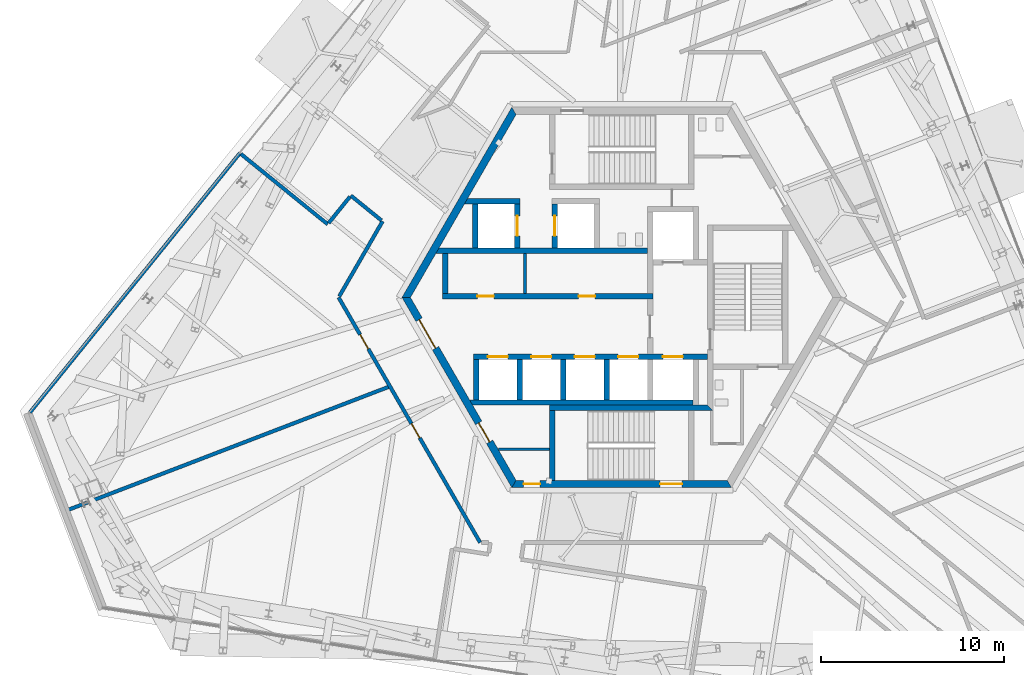
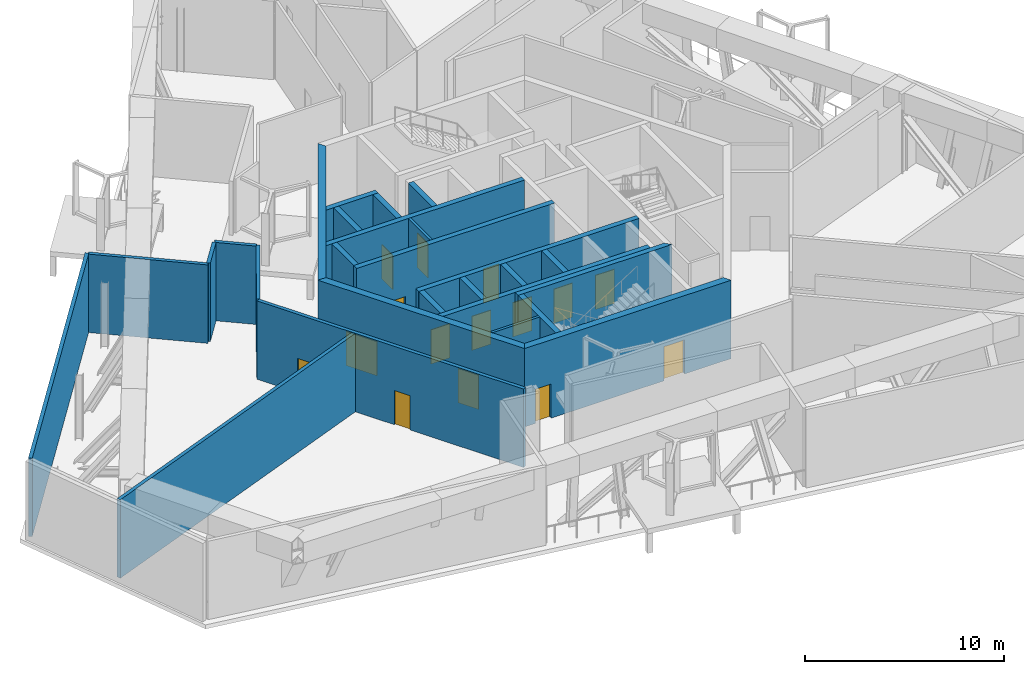
# One storey, part 8 of 14: 27 walls, 15 doors, 15 openings.
"""IFC4 building model written with IfcOpenShell, lengths in metres."""

from ifc_helpers import new_model, si_unit, direction, frame, frame_2d, origin, place, context, subcontext, project, spatial, polyline, rectangle, outline, extrude, source, transform, mapped, material, layer, layer_set, type_object, element, fill, save


model = new_model("IFC4")

# Units and contexts
model_context = context("Model", 3, precision=1e-05, world=origin(), true_north=direction((0.0, 1.0)))
body_context = subcontext(model_context, "Body", "Model", "MODEL_VIEW")
ifc_project = project(units=[si_unit("LENGTHUNIT", "METRE"), si_unit("AREAUNIT", "SQUARE_METRE"), si_unit("VOLUMEUNIT", "CUBIC_METRE"), si_unit("PLANEANGLEUNIT", "RADIAN"), si_unit("MASSUNIT", "GRAM", prefix="KILO")], contexts=[model_context])

# Site, building, storey
site_placement = place(None, origin())
site = spatial("IfcSite", under=ifc_project, at=site_placement, CompositionType="ELEMENT")
building_placement = place(site_placement, origin())
building = spatial("IfcBuilding", under=site, at=building_placement, Name="Triune Harvest Tower", CompositionType="ELEMENT")
storey_placement = place(building_placement, frame((0.0, 0.0, 174.925048828125)))
storey = spatial("IfcBuildingStorey", under=building, at=storey_placement, Name="L45", CompositionType="ELEMENT", Elevation=174.925048828125)

# Walls
ifc_material_1 = material(Name="Concrete masonry unit", Category="masonry")
ifc_layer_1 = layer(ifc_material_1, 0.14990234375)
ifc_layer_set_1 = layer_set([ifc_layer_1], Name="Concrete masonry unit")
wall_type_1 = type_object("IfcWallType", Name="Block partition 150", PredefinedType="PARTITIONING", material=ifc_layer_set_1)
wall_1_placement = place(storey_placement, frame((-5.280029296875, 0.2099609375, 0.0), z_axis=(0.0, 0.0, 1.0), x_axis=(0.0, 1.0, 0.0)))
element("IfcWall", 1, at=wall_1_placement, inside=storey, type_object=wall_type_1, Name="Row n part 1 wall", PredefinedType="PARTITIONING", context=body_context, shape_type="SweptSolid", body=[
    extrude(rectangle(XDim=2.199951171875, YDim=0.14990234375, at=frame_2d((1.10009765625, 0.0))), origin(), (0.0, 0.0, 1.0), 4.81494140625),
])
wall_2_placement = place(storey_placement, frame((-6.72705078125, -8.300048828125, 0.0), z_axis=(0.0, 0.0, 1.0), x_axis=(1.0, 0.0, 0.0)))
element("IfcWall", 2, at=wall_2_placement, inside=storey, type_object=wall_type_1, Name="Sw part wall", PredefinedType="PARTITIONING", context=body_context, shape_type="SweptSolid", body=[
    extrude(rectangle(XDim=2.777099609375, YDim=0.14990234375, at=frame_2d((1.388671875, 0.0))), origin(), (0.0, 0.0, 1.0), 4.81494140625),
])

# Wall, openings, doors
ifc_material_2 = material(Name="Concrete 70 MPa", Category="concrete")
ifc_layer_2 = layer(ifc_material_2, 0.300048828125)
ifc_layer_set_2 = layer_set([ifc_layer_2], Name="Concrete 70 MPa")
wall_type_2 = type_object("IfcWallType", Name="Core wall 300", PredefinedType="SHEAR", material=ifc_layer_set_2)
wall_3_placement = place(storey_placement, frame((-9.800048828125, 0.06005859375, 0.0), z_axis=(0.0, 0.0, 1.0), x_axis=(1.0, 0.0, 0.0)))
wall_3 = element("IfcWall", 3, at=wall_3_placement, inside=storey, type_object=wall_type_2, Name="North front wall", PredefinedType="SHEAR", context=body_context, shape_type="SweptSolid", body=[
    extrude(rectangle(XDim=11.5, YDim=0.300048828125, at=frame_2d((5.75, 0.0))), origin(), (0.0, 0.0, 1.0), 4.81494140625),
])
opening_1_placement = place(wall_3_placement, frame((1.922607421875, 0.0, 0.0)))
opening_1 = element("IfcOpeningElement", 4, at=opening_1_placement, cuts=wall_3, Name="Opening CD-RN1", PredefinedType="OPENING", context=body_context, shape_type="SweptSolid", body=[
    extrude(rectangle(XDim=0.89990234375, YDim=2.10009765625, at=frame_2d((0.449951171875, 1.050048828125))), frame((0.0, 0.16015625, 0.0), z_axis=(0.0, -1.0, 0.0), x_axis=(1.0, 0.0, 0.0)), (0.0, 0.0, 1.0), 0.320068359375),
])
opening_2_placement = place(wall_3_placement, frame((7.447509765625, 0.0, 0.0)))
opening_2 = element("IfcOpeningElement", 5, at=opening_2_placement, cuts=wall_3, Name="Opening CD-RN2", PredefinedType="OPENING", context=body_context, shape_type="SweptSolid", body=[
    extrude(rectangle(XDim=0.89990234375, YDim=2.10009765625, at=frame_2d((0.449951171875, 1.050048828125))), frame((0.0, 0.16015625, 0.0), z_axis=(0.0, -1.0, 0.0), x_axis=(1.0, 0.0, 0.0)), (0.0, 0.0, 1.0), 0.320068359375),
])
ifc_material_3 = material(Name="Steel S235", Category="steel")
door_type_1 = type_object("IfcDoorType", Name="Riser door 900 FD120", OperationType="SINGLE_SWING_LEFT", PredefinedType="DOOR", material=ifc_material_3)
door_1_placement = place(opening_1_placement, frame((0.89990234375, 0.0, 0.0), z_axis=(0.0, 0.0, 1.0), x_axis=(-1.0, 0.0, 0.0)))
door_1 = element("IfcDoor", 6, at=door_1_placement, inside=storey, type_object=door_type_1, Name="Door CD-RN1", OperationType="SINGLE_SWING_RIGHT", OverallHeight=2.10009765625, OverallWidth=0.89990234375, PredefinedType="DOOR", context=body_context, shape_type="SweptSolid", body=[
    extrude(rectangle(XDim=0.89990234375, YDim=2.10009765625, at=frame_2d((0.449951171875, 1.050048828125))), frame((0.0, 0.02490234375, 0.0), z_axis=(0.0, -1.0, 0.0), x_axis=(1.0, 0.0, 0.0)), (0.0, 0.0, 1.0), 0.050048828125),
])
fill(opening_1, door_1)
door_2_placement = place(opening_2_placement, frame((0.89990234375, 0.0, 0.0), z_axis=(0.0, 0.0, 1.0), x_axis=(-1.0, 0.0, 0.0)))
door_2 = element("IfcDoor", 7, at=door_2_placement, inside=storey, type_object=door_type_1, Name="Door CD-RN2", OperationType="SINGLE_SWING_RIGHT", OverallHeight=2.10009765625, OverallWidth=0.89990234375, PredefinedType="DOOR", context=body_context, shape_type="SweptSolid", body=[
    extrude(rectangle(XDim=0.89990234375, YDim=2.10009765625, at=frame_2d((0.449951171875, 1.050048828125))), frame((0.0, 0.02490234375, 0.0), z_axis=(0.0, -1.0, 0.0), x_axis=(1.0, 0.0, 0.0)), (0.0, 0.0, 1.0), 0.050048828125),
])
fill(opening_2, door_2)

# Wall
wall_4_placement = place(storey_placement, frame((-9.800048828125, 2.56005859375, 0.0), z_axis=(0.0, 0.0, 1.0), x_axis=(1.0, 0.0, 0.0)))
element("IfcWall", 8, at=wall_4_placement, inside=storey, type_object=wall_type_2, Name="North back wall", PredefinedType="SHEAR", context=body_context, shape_type="SweptSolid", body=[
    extrude(outline(polyline([(11.199951171875, -0.14990234375), (-0.34912109375, -0.14990234375), (-0.17578125, 0.14990234375), (11.199951171875, 0.14990234375), (11.199951171875, -0.14990234375)])), origin(), (0.0, 0.0, 1.0), 4.81494140625),
])

# Wall, openings, doors
wall_5_placement = place(storey_placement, frame((-8.10009765625, -3.239990234375, 0.0), z_axis=(0.0, 0.0, 1.0), x_axis=(1.0, 0.0, 0.0)))
wall_5 = element("IfcWall", 9, at=wall_5_placement, inside=storey, type_object=wall_type_2, Name="South front wall", PredefinedType="SHEAR", context=body_context, shape_type="SweptSolid", body=[
    extrude(rectangle(XDim=12.800048828125, YDim=0.300048828125, at=frame_2d((6.39990234375, 0.0))), origin(), (0.0, 0.0, 1.0), 4.81494140625),
])
opening_3_placement = place(wall_5_placement, frame((0.78759765625, 0.0, 0.0)))
opening_3 = element("IfcOpeningElement", 10, at=opening_3_placement, cuts=wall_5, Name="Opening LD-HR1-45", PredefinedType="OPENING", context=body_context, shape_type="SweptSolid", body=[
    extrude(rectangle(XDim=1.10009765625, YDim=2.10009765625, at=frame_2d((0.550048828125, 1.050048828125))), frame((0.0, 0.16015625, 0.0), z_axis=(0.0, -1.0, 0.0), x_axis=(1.0, 0.0, 0.0)), (0.0, 0.0, 1.0), 0.320068359375),
])
opening_4_placement = place(wall_5_placement, frame((3.16259765625, 0.0, 0.0)))
opening_4 = element("IfcOpeningElement", 11, at=opening_4_placement, cuts=wall_5, Name="Opening LD-HR2-45", PredefinedType="OPENING", context=body_context, shape_type="SweptSolid", body=[
    extrude(rectangle(XDim=1.10009765625, YDim=2.10009765625, at=frame_2d((0.550048828125, 1.050048828125))), frame((0.0, 0.16015625, 0.0), z_axis=(0.0, -1.0, 0.0), x_axis=(1.0, 0.0, 0.0)), (0.0, 0.0, 1.0), 0.320068359375),
])
opening_5_placement = place(wall_5_placement, frame((5.53759765625, 0.0, 0.0)))
opening_5 = element("IfcOpeningElement", 12, at=opening_5_placement, cuts=wall_5, Name="Opening LD-HR3-45", PredefinedType="OPENING", context=body_context, shape_type="SweptSolid", body=[
    extrude(rectangle(XDim=1.10009765625, YDim=2.10009765625, at=frame_2d((0.550048828125, 1.050048828125))), frame((0.0, 0.16015625, 0.0), z_axis=(0.0, -1.0, 0.0), x_axis=(1.0, 0.0, 0.0)), (0.0, 0.0, 1.0), 0.320068359375),
])
opening_6_placement = place(wall_5_placement, frame((7.91259765625, 0.0, 0.0)))
opening_6 = element("IfcOpeningElement", 13, at=opening_6_placement, cuts=wall_5, Name="Opening LD-HR4-45", PredefinedType="OPENING", context=body_context, shape_type="SweptSolid", body=[
    extrude(rectangle(XDim=1.10009765625, YDim=2.10009765625, at=frame_2d((0.550048828125, 1.050048828125))), frame((0.0, 0.16015625, 0.0), z_axis=(0.0, -1.0, 0.0), x_axis=(1.0, 0.0, 0.0)), (0.0, 0.0, 1.0), 0.320068359375),
])
opening_7_placement = place(wall_5_placement, frame((10.35009765625, 0.0, 0.0)))
opening_7 = element("IfcOpeningElement", 14, at=opening_7_placement, cuts=wall_5, Name="Opening LD-FF2-45", PredefinedType="OPENING", context=body_context, shape_type="SweptSolid", body=[
    extrude(rectangle(XDim=1.10009765625, YDim=2.10009765625, at=frame_2d((0.550048828125, 1.050048828125))), frame((0.0, 0.16015625, 0.0), z_axis=(0.0, -1.0, 0.0), x_axis=(1.0, 0.0, 0.0)), (0.0, 0.0, 1.0), 0.320068359375),
])
ifc_material_4 = material(Name="Stainless steel AISI 304", Category="steel")
door_type_2 = type_object("IfcDoorType", Name="Landing door 1100 x 2100", OperationType="DOUBLE_DOOR_SLIDING", PredefinedType="DOOR", material=ifc_material_4)
door_3_placement = place(opening_3_placement, origin())
door_3 = element("IfcDoor", 15, at=door_3_placement, inside=storey, type_object=door_type_2, Name="Door LD-HR1-45", OperationType="DOUBLE_DOOR_SLIDING", OverallHeight=2.10009765625, OverallWidth=1.10009765625, PredefinedType="DOOR", context=body_context, shape_type="SweptSolid", body=[
    extrude(rectangle(XDim=1.10009765625, YDim=2.10009765625, at=frame_2d((0.550048828125, 1.050048828125))), frame((0.0, 0.02490234375, 0.0), z_axis=(0.0, -1.0, 0.0), x_axis=(1.0, 0.0, 0.0)), (0.0, 0.0, 1.0), 0.050048828125),
])
fill(opening_3, door_3)
door_4_placement = place(opening_4_placement, origin())
door_4 = element("IfcDoor", 16, at=door_4_placement, inside=storey, type_object=door_type_2, Name="Door LD-HR2-45", OperationType="DOUBLE_DOOR_SLIDING", OverallHeight=2.10009765625, OverallWidth=1.10009765625, PredefinedType="DOOR", context=body_context, shape_type="SweptSolid", body=[
    extrude(rectangle(XDim=1.10009765625, YDim=2.10009765625, at=frame_2d((0.550048828125, 1.050048828125))), frame((0.0, 0.02490234375, 0.0), z_axis=(0.0, -1.0, 0.0), x_axis=(1.0, 0.0, 0.0)), (0.0, 0.0, 1.0), 0.050048828125),
])
fill(opening_4, door_4)
door_5_placement = place(opening_5_placement, origin())
door_5 = element("IfcDoor", 17, at=door_5_placement, inside=storey, type_object=door_type_2, Name="Door LD-HR3-45", OperationType="DOUBLE_DOOR_SLIDING", OverallHeight=2.10009765625, OverallWidth=1.10009765625, PredefinedType="DOOR", context=body_context, shape_type="SweptSolid", body=[
    extrude(rectangle(XDim=1.10009765625, YDim=2.10009765625, at=frame_2d((0.550048828125, 1.050048828125))), frame((0.0, 0.02490234375, 0.0), z_axis=(0.0, -1.0, 0.0), x_axis=(1.0, 0.0, 0.0)), (0.0, 0.0, 1.0), 0.050048828125),
])
fill(opening_5, door_5)
door_6_placement = place(opening_6_placement, origin())
door_6 = element("IfcDoor", 18, at=door_6_placement, inside=storey, type_object=door_type_2, Name="Door LD-HR4-45", OperationType="DOUBLE_DOOR_SLIDING", OverallHeight=2.10009765625, OverallWidth=1.10009765625, PredefinedType="DOOR", context=body_context, shape_type="SweptSolid", body=[
    extrude(rectangle(XDim=1.10009765625, YDim=2.10009765625, at=frame_2d((0.550048828125, 1.050048828125))), frame((0.0, 0.02490234375, 0.0), z_axis=(0.0, -1.0, 0.0), x_axis=(1.0, 0.0, 0.0)), (0.0, 0.0, 1.0), 0.050048828125),
])
fill(opening_6, door_6)
door_7_placement = place(opening_7_placement, origin())
door_7 = element("IfcDoor", 19, at=door_7_placement, inside=storey, type_object=door_type_2, Name="Door LD-FF2-45", OperationType="DOUBLE_DOOR_SLIDING", OverallHeight=2.10009765625, OverallWidth=1.10009765625, PredefinedType="DOOR", context=body_context, shape_type="SweptSolid", body=[
    extrude(rectangle(XDim=1.10009765625, YDim=2.10009765625, at=frame_2d((0.550048828125, 1.050048828125))), frame((0.0, 0.02490234375, 0.0), z_axis=(0.0, -1.0, 0.0), x_axis=(1.0, 0.0, 0.0)), (0.0, 0.0, 1.0), 0.050048828125),
])
fill(opening_7, door_7)

# Walls
wall_6_placement = place(storey_placement, frame((-8.10009765625, -5.739990234375, 0.0), z_axis=(0.0, 0.0, 1.0), x_axis=(1.0, 0.0, 0.0)))
element("IfcWall", 20, at=wall_6_placement, inside=storey, type_object=wall_type_2, Name="South back wall", PredefinedType="SHEAR", context=body_context, shape_type="SweptSolid", body=[
    extrude(outline(polyline([(12.0, -0.14990234375), (-0.039794921875, -0.14990234375), (-0.212890625, 0.14990234375), (12.0, 0.14990234375), (12.0, -0.14990234375)])), origin(), (0.0, 0.0, 1.0), 4.81494140625),
])
wall_7_placement = place(storey_placement, frame((-9.64990234375, 0.2099609375, 0.0), z_axis=(0.0, 0.0, 1.0), x_axis=(0.0, 1.0, 0.0)))
element("IfcWall", 21, at=wall_7_placement, inside=storey, type_object=wall_type_2, Name="North end west wall", PredefinedType="SHEAR", context=body_context, shape_type="SweptSolid", body=[
    extrude(rectangle(XDim=2.199951171875, YDim=0.300048828125, at=frame_2d((1.10009765625, 0.0))), origin(), (0.0, 0.0, 1.0), 4.81494140625),
])
wall_8_placement = place(storey_placement, frame((-3.949951171875, -6.0400390625, 0.0), z_axis=(0.0, 0.0, 1.0), x_axis=(1.0, 0.0, 0.0)))
element("IfcWall", 22, at=wall_8_placement, inside=storey, type_object=wall_type_2, Name="Stair s north wall", PredefinedType="SHEAR", context=body_context, shape_type="SweptSolid", body=[
    extrude(outline(polyline([(0.0, -0.14990234375), (8.949951171875, -0.14990234375), (8.64990234375, 0.14990234375), (0.0, 0.14990234375), (0.0, -0.14990234375)])), origin(), (0.0, 0.0, 1.0), 4.81494140625),
])
wall_9_placement = place(storey_placement, frame((-8.14990234375, 5.260009765625, 0.0), z_axis=(0.0, 0.0, 1.0), x_axis=(1.0, 0.0, 0.0)))
element("IfcWall", 23, at=wall_9_placement, inside=storey, type_object=wall_type_2, Name="Sv1 north wall", PredefinedType="SHEAR", context=body_context, shape_type="SweptSolid", body=[
    extrude(outline(polyline([(2.60009765625, -0.14990234375), (-0.440185546875, -0.14990234375), (-0.26708984375, 0.14990234375), (2.60009765625, 0.14990234375), (2.60009765625, -0.14990234375)])), origin(), (0.0, 0.0, 1.0), 4.81494140625),
])

# Wall, openings, doors
ifc_material_5 = material(Name="Gypsum board on steel studs", Category="steel")
ifc_layer_3 = layer(ifc_material_5, 0.199951171875)
ifc_layer_set_3 = layer_set([ifc_layer_3], Name="Gypsum board on steel studs")
wall_type_3 = type_object("IfcWallType", Name="Fire Wall 200 mm", PredefinedType="PARTITIONING", material=ifc_layer_set_3)
wall_10_placement = place(storey_placement, frame((-15.464111328125, 0.0, 0.0), z_axis=(0.0, 0.0, 1.0), x_axis=(0.500005339912, -0.866022320763, 0.0)))
wall_10 = element("IfcWall", 24, at=wall_10_placement, inside=storey, type_object=wall_type_3, Name="Partition L45 008", PredefinedType="PARTITIONING", context=body_context, shape_type="SweptSolid", body=[
    extrude(rectangle(XDim=15.464111328125, YDim=0.199951171875, at=frame_2d((7.73193359375, 0.0))), origin(), (0.0, 0.0, 1.0), 4.81494140625),
])
opening_8_placement = place(wall_10_placement, frame((2.35009765625, 0.0, 0.0)))
opening_8 = element("IfcOpeningElement", 25, at=opening_8_placement, cuts=wall_10, Name="Opening L45-011", PredefinedType="OPENING", context=body_context, shape_type="SweptSolid", body=[
    extrude(rectangle(XDim=0.89990234375, YDim=2.10009765625, at=frame_2d((0.449951171875, 1.050048828125))), frame((0.0, 0.10986328125, 0.0), z_axis=(0.0, -1.0, 0.0), x_axis=(1.0, 0.0, 0.0)), (0.0, 0.0, 1.0), 0.219970703125),
])
opening_9_placement = place(wall_10_placement, frame((7.9609375, 0.0, 0.0)))
opening_9 = element("IfcOpeningElement", 26, at=opening_9_placement, cuts=wall_10, Name="Opening L45-012", PredefinedType="OPENING", context=body_context, shape_type="SweptSolid", body=[
    extrude(rectangle(XDim=0.89990234375, YDim=2.10009765625, at=frame_2d((0.449951171875, 1.050048828125))), frame((0.0, 0.10986328125, 0.0), z_axis=(0.0, -1.0, 0.0), x_axis=(1.0, 0.0, 0.0)), (0.0, 0.0, 1.0), 0.219970703125),
])
ifc_material_6 = material(Name="Timber and steel door set", Category="steel")
door_type_3 = type_object("IfcDoorType", Name="Single leaf door FD60 left hand 900 x 2100", OperationType="SINGLE_SWING_LEFT", PredefinedType="DOOR", material=ifc_material_6)
door_8_placement = place(opening_9_placement, origin())
door_8 = element("IfcDoor", 27, at=door_8_placement, inside=storey, type_object=door_type_3, Name="Door L45-012 Pump Plant Room 45.12", OperationType="SINGLE_SWING_LEFT", OverallHeight=2.10009765625, OverallWidth=0.89990234375, PredefinedType="DOOR", context=body_context, shape_type="SweptSolid", body=[
    extrude(rectangle(XDim=0.89990234375, YDim=2.10009765625, at=frame_2d((0.449951171875, 1.050048828125))), frame((0.0, 0.02490234375, 0.0), z_axis=(0.0, -1.0, 0.0), x_axis=(1.0, 0.0, 0.0)), (0.0, 0.0, 1.0), 0.050048828125),
])
fill(opening_9, door_8)
ifc_material_7 = material(Name="Timber and steel door set", Category="steel")
door_type_4 = type_object("IfcDoorType", Name="Single leaf door FD60 right hand 900 x 2100", OperationType="SINGLE_SWING_RIGHT", PredefinedType="DOOR", material=ifc_material_7)
door_9_placement = place(opening_8_placement, origin())
door_9 = element("IfcDoor", 28, at=door_9_placement, inside=storey, type_object=door_type_4, Name="Door L45-011 Pump Plant Room 45.11", OperationType="SINGLE_SWING_RIGHT", OverallHeight=2.10009765625, OverallWidth=0.89990234375, PredefinedType="DOOR", context=body_context, shape_type="SweptSolid", body=[
    extrude(rectangle(XDim=0.89990234375, YDim=2.10009765625, at=frame_2d((0.449951171875, 1.050048828125))), frame((0.0, 0.02490234375, 0.0), z_axis=(0.0, -1.0, 0.0), x_axis=(1.0, 0.0, 0.0)), (0.0, 0.0, 1.0), 0.050048828125),
])
fill(opening_8, door_9)

# Walls
wall_11_placement = place(storey_placement, frame((-14.7958984375, 5.563720703125, 0.0), z_axis=(0.0, 0.0, 1.0), x_axis=(0.777133830158, -0.629335371662, 0.0)))
element("IfcWall", 29, at=wall_11_placement, inside=storey, type_object=wall_type_3, Name="Partition L45 011", PredefinedType="PARTITIONING", context=body_context, shape_type="SweptSolid", body=[
    extrude(rectangle(XDim=2.150634765625, YDim=0.199951171875, at=frame_2d((1.0751953125, 0.0))), origin(), (0.0, 0.0, 1.0), 4.81494140625),
])
wall_12_placement = place(storey_placement, frame((-30.275390625, -11.62109375, 0.0), z_axis=(0.0, 0.0, 1.0), x_axis=(0.933584153566, 0.358358240049, 0.0)))
element("IfcWall", 30, at=wall_12_placement, inside=storey, type_object=wall_type_3, Name="Partition L45 034", PredefinedType="PARTITIONING", context=body_context, shape_type="SweptSolid", body=[
    extrude(rectangle(XDim=18.869873046875, YDim=0.199951171875, at=frame_2d((9.43505859375, 0.0))), origin(), (0.0, 0.0, 1.0), 4.81494140625),
])
wall_13_placement = place(storey_placement, frame((-16.01220703125, 4.06201171875, 0.0), z_axis=(0.0, 0.0, 1.0), x_axis=(0.629353409973, 0.777119222099, 0.0)))
element("IfcWall", 31, at=wall_13_placement, inside=storey, type_object=wall_type_3, Name="Partition L45 044", PredefinedType="PARTITIONING", context=body_context, shape_type="SweptSolid", body=[
    extrude(rectangle(XDim=1.85546875, YDim=0.199951171875, at=frame_2d((0.927734375, 0.0))), origin(), (0.0, 0.0, 1.0), 4.81494140625),
])
wall_14_placement = place(storey_placement, frame((-15.428955078125, 0.060302734375, 0.0), z_axis=(0.0, 0.0, 1.0), x_axis=(0.499950160053, 0.866054176979, 0.0)))
element("IfcWall", 32, at=wall_14_placement, inside=storey, type_object=wall_type_3, Name="Partition L45 051", PredefinedType="PARTITIONING", context=body_context, shape_type="SweptSolid", body=[
    extrude(rectangle(XDim=4.7333984375, YDim=0.199951171875, at=frame_2d((2.36669921875, 0.0))), origin(), (0.0, 0.0, 1.0), 4.81494140625),
])
ifc_material_8 = material(Name="Concrete 70 MPa", Category="concrete")
ifc_layer_4 = layer(ifc_material_8, 0.39990234375)
ifc_layer_set_4 = layer_set([ifc_layer_4], Name="Concrete 70 MPa")
wall_type_4 = type_object("IfcWallType", Name="Core wall 400", PredefinedType="SHEAR", material=ifc_layer_set_4)
shared_shape_1 = source(origin(), body_context, "Body", "SweptSolid", [
    extrude(outline(polyline([(-0.115478515625, -0.199951171875), (11.884521484375, -0.199951171875), (11.653564453125, 0.199951171875), (0.115478515625, 0.199951171875), (-0.115478515625, -0.199951171875)])), origin(), (0.0, 0.0, 1.0), 4.81494140625),
])
wall_15_placement = place(storey_placement, frame((-5.884521484375, 10.1923828125, 0.0), z_axis=(0.0, 0.0, 1.0), x_axis=(-0.499996592174, -0.866027371285, 0.0)))
element("IfcWall", 33, at=wall_15_placement, inside=storey, type_object=wall_type_4, Name="Hexagon 2 wall", PredefinedType="SHEAR", context=body_context, shape_type="MappedRepresentation", body=[
    mapped(shared_shape_1, transform((0.0, 0.0, 0.0), scale=1.0)),
])

# Wall, openings, doors
wall_16_placement = place(storey_placement, frame((-11.76904296875, 0.0, 0.0), z_axis=(0.0, 0.0, 1.0), x_axis=(0.499996592174, -0.866027371285, 0.0)))
wall_16 = element("IfcWall", 34, at=wall_16_placement, inside=storey, type_object=wall_type_4, Name="Hexagon 3 wall", PredefinedType="SHEAR", context=body_context, shape_type="MappedRepresentation", body=[
    mapped(shared_shape_1, transform((0.0, 0.0, 0.0), scale=1.0)),
])
opening_10_placement = place(wall_16_placement, frame((1.404541015625, 0.0, 0.0)))
opening_10 = element("IfcOpeningElement", 35, at=opening_10_placement, cuts=wall_16, Name="Opening CD-LS", PredefinedType="OPENING", context=body_context, shape_type="SweptSolid", body=[
    extrude(rectangle(XDim=1.800048828125, YDim=2.10009765625, at=frame_2d((0.89990234375, 1.050048828125))), frame((0.0, 0.2099609375, 0.0), z_axis=(0.0, -1.0, 0.0), x_axis=(1.0, 0.0, 0.0)), (0.0, 0.0, 1.0), 0.419921875),
])
opening_11_placement = place(wall_16_placement, frame((7.91455078125, 0.0, 0.0)))
opening_11 = element("IfcOpeningElement", 36, at=opening_11_placement, cuts=wall_16, Name="Opening CD-SWP", PredefinedType="OPENING", context=body_context, shape_type="SweptSolid", body=[
    extrude(rectangle(XDim=1.199951171875, YDim=2.10009765625, at=frame_2d((0.60009765625, 1.050048828125))), frame((0.0, 0.2099609375, 0.0), z_axis=(0.0, -1.0, 0.0), x_axis=(1.0, 0.0, 0.0)), (0.0, 0.0, 1.0), 0.419921875),
])
ifc_material_9 = material(Name="Steel S235", Category="steel")
door_type_5 = type_object("IfcDoorType", Name="Lobby door 1800 FD120", OperationType="DOUBLE_DOOR_DOUBLE_SWING", PredefinedType="DOOR", material=ifc_material_9)
door_10_placement = place(opening_10_placement, frame((1.800048828125, 0.0, 0.0), z_axis=(0.0, 0.0, 1.0), x_axis=(-1.0, 0.0, 0.0)))
door_10 = element("IfcDoor", 37, at=door_10_placement, inside=storey, type_object=door_type_5, Name="Door CD-LS", OperationType="DOUBLE_DOOR_DOUBLE_SWING", OverallHeight=2.10009765625, OverallWidth=1.800048828125, PredefinedType="DOOR", context=body_context, shape_type="SweptSolid", body=[
    extrude(rectangle(XDim=1.800048828125, YDim=2.10009765625, at=frame_2d((0.89990234375, 1.050048828125))), frame((0.0, 0.02490234375, 0.0), z_axis=(0.0, -1.0, 0.0), x_axis=(1.0, 0.0, 0.0)), (0.0, 0.0, 1.0), 0.050048828125),
])
fill(opening_10, door_10)
ifc_material_10 = material(Name="Steel S235", Category="steel")
door_type_6 = type_object("IfcDoorType", Name="Service door 1200 FD120", OperationType="SINGLE_SWING_LEFT", PredefinedType="DOOR", material=ifc_material_10)
door_11_placement = place(opening_11_placement, frame((1.199951171875, 0.0, 0.0), z_axis=(0.0, 0.0, 1.0), x_axis=(-1.0, 0.0, 0.0)))
door_11 = element("IfcDoor", 38, at=door_11_placement, inside=storey, type_object=door_type_6, Name="Door CD-SWP", OperationType="SINGLE_SWING_RIGHT", OverallHeight=2.10009765625, OverallWidth=1.199951171875, PredefinedType="DOOR", context=body_context, shape_type="SweptSolid", body=[
    extrude(rectangle(XDim=1.199951171875, YDim=2.10009765625, at=frame_2d((0.60009765625, 1.050048828125))), frame((0.0, 0.02490234375, 0.0), z_axis=(0.0, -1.0, 0.0), x_axis=(1.0, 0.0, 0.0)), (0.0, 0.0, 1.0), 0.050048828125),
])
fill(opening_11, door_11)

wall_17_placement = place(storey_placement, frame((-5.884521484375, -10.1923828125, 0.0), z_axis=(0.0, 0.0, 1.0), x_axis=(1.0, 0.0, 0.0)))
wall_17 = element("IfcWall", 39, at=wall_17_placement, inside=storey, type_object=wall_type_4, Name="Hexagon 4 wall", PredefinedType="SHEAR", context=body_context, shape_type="MappedRepresentation", body=[
    mapped(shared_shape_1, transform((0.0, 0.0, 0.0), scale=1.0)),
])
opening_12_placement = place(wall_17_placement, frame((7.984619140625, 0.0, 0.0)))
opening_12 = element("IfcOpeningElement", 40, at=opening_12_placement, cuts=wall_17, Name="Opening CD-S2P", PredefinedType="OPENING", context=body_context, shape_type="SweptSolid", body=[
    extrude(rectangle(XDim=1.199951171875, YDim=2.10009765625, at=frame_2d((0.60009765625, 1.050048828125))), frame((0.0, 0.2099609375, 0.0), z_axis=(0.0, -1.0, 0.0), x_axis=(1.0, 0.0, 0.0)), (0.0, 0.0, 1.0), 0.419921875),
])
opening_13_placement = place(wall_17_placement, frame((0.534423828125, 0.0, 0.0)))
opening_13 = element("IfcOpeningElement", 41, at=opening_13_placement, cuts=wall_17, Name="Opening CD-SWS", PredefinedType="OPENING", context=body_context, shape_type="SweptSolid", body=[
    extrude(rectangle(XDim=0.89990234375, YDim=2.10009765625, at=frame_2d((0.449951171875, 1.050048828125))), frame((0.0, 0.2099609375, 0.0), z_axis=(0.0, -1.0, 0.0), x_axis=(1.0, 0.0, 0.0)), (0.0, 0.0, 1.0), 0.419921875),
])
door_12_placement = place(opening_13_placement, frame((0.89990234375, 0.0, 0.0), z_axis=(0.0, 0.0, 1.0), x_axis=(-1.0, 0.0, 0.0)))
door_12 = element("IfcDoor", 42, at=door_12_placement, inside=storey, type_object=door_type_1, Name="Door CD-SWS", OperationType="SINGLE_SWING_RIGHT", OverallHeight=2.10009765625, OverallWidth=0.89990234375, PredefinedType="DOOR", context=body_context, shape_type="SweptSolid", body=[
    extrude(rectangle(XDim=0.89990234375, YDim=2.10009765625, at=frame_2d((0.449951171875, 1.050048828125))), frame((0.0, 0.02490234375, 0.0), z_axis=(0.0, -1.0, 0.0), x_axis=(1.0, 0.0, 0.0)), (0.0, 0.0, 1.0), 0.050048828125),
])
fill(opening_13, door_12)
ifc_material_11 = material(Name="Steel S235", Category="steel")
door_type_7 = type_object("IfcDoorType", Name="Stair door 1200 FD120", OperationType="SINGLE_SWING_LEFT", PredefinedType="DOOR", material=ifc_material_11)
door_13_placement = place(opening_12_placement, frame((1.199951171875, 0.0, 0.0), z_axis=(0.0, 0.0, 1.0), x_axis=(-1.0, 0.0, 0.0)))
door_13 = element("IfcDoor", 43, at=door_13_placement, inside=storey, type_object=door_type_7, Name="Door CD-S2P", OperationType="SINGLE_SWING_RIGHT", OverallHeight=2.10009765625, OverallWidth=1.199951171875, PredefinedType="DOOR", context=body_context, shape_type="SweptSolid", body=[
    extrude(rectangle(XDim=1.199951171875, YDim=2.10009765625, at=frame_2d((0.60009765625, 1.050048828125))), frame((0.0, 0.02490234375, 0.0), z_axis=(0.0, -1.0, 0.0), x_axis=(1.0, 0.0, 0.0)), (0.0, 0.0, 1.0), 0.050048828125),
])
fill(opening_12, door_13)

# Walls
shared_shape_2 = source(origin(), body_context, "Body", "SweptSolid", [
    extrude(rectangle(XDim=2.2001953125, YDim=0.300048828125, at=frame_2d((1.10009765625, 0.0))), origin(), (0.0, 0.0, 1.0), 4.81494140625),
])
for number, where, z_axis, x_axis, name in (
    (44, (-7.949951171875, -5.590087890625, 0.0), (0.0, 0.0, 1.0), (0.0, 1.0, 0.0), "South end west wall"),
    (45, (-5.574951171875, -5.590087890625, 0.0), (0.0, 0.0, 1.0), (0.0, 1.0, 0.0), "South cross 1 wall"),
    (46, (-3.199951171875, -5.590087890625, 0.0), (0.0, 0.0, 1.0), (0.0, 1.0, 0.0), "South cross 2 wall"),
    (47, (-0.824951171875, -5.590087890625, 0.0), (0.0, 0.0, 1.0), (0.0, 1.0, 0.0), "South cross 3 wall"),
):
    element("IfcWall", number, at=place(storey_placement, frame(where, z_axis=z_axis, x_axis=x_axis)), inside=storey, type_object=wall_type_2, Name=name, PredefinedType="SHEAR", context=body_context, shape_type="MappedRepresentation", body=[
        mapped(shared_shape_2, transform((0.0, 0.0, 0.0), scale=1.0)),
    ])
shared_shape_3 = source(origin(), body_context, "Body", "SweptSolid", [
    extrude(outline(polyline([(3.800048828125, -0.14990234375), (-0.00439453125, -0.14990234375), (-0.00439453125, 0.14990234375), (3.800048828125, 0.14990234375), (3.800048828125, -0.14990234375)])), origin(), (0.0, 0.0, 1.0), 4.81494140625),
])
wall_18_placement = place(storey_placement, frame((-3.800048828125, -9.989990234375, 0.0), z_axis=(0.0, 0.0, 1.0), x_axis=(0.0, 1.0, 0.0)))
element("IfcWall", 48, at=wall_18_placement, inside=storey, type_object=wall_type_2, Name="Stair s west wall", PredefinedType="SHEAR", context=body_context, shape_type="MappedRepresentation", body=[
    mapped(shared_shape_3, transform((0.0, 0.0, 0.0), scale=1.0)),
])
shared_shape_4 = source(origin(), body_context, "Body", "SweptSolid", [
    extrude(rectangle(XDim=2.400146484375, YDim=0.300048828125, at=frame_2d((1.2001953125, 0.0))), origin(), (0.0, 0.0, 1.0), 4.81494140625),
])
wall_19_placement = place(storey_placement, frame((-8.0, 2.7099609375, 0.0), z_axis=(0.0, 0.0, 1.0), x_axis=(0.0, 1.0, 0.0)))
element("IfcWall", 49, at=wall_19_placement, inside=storey, type_object=wall_type_2, Name="Sv1 west wall", PredefinedType="SHEAR", context=body_context, shape_type="MappedRepresentation", body=[
    mapped(shared_shape_4, transform((0.0, 0.0, 0.0), scale=1.0)),
])

# Wall, opening, door
wall_20_placement = place(storey_placement, frame((-5.699951171875, 2.7099609375, 0.0), z_axis=(0.0, 0.0, 1.0), x_axis=(0.0, 1.0, 0.0)))
wall_20 = element("IfcWall", 50, at=wall_20_placement, inside=storey, type_object=wall_type_2, Name="Sv1 east wall", PredefinedType="SHEAR", context=body_context, shape_type="MappedRepresentation", body=[
    mapped(shared_shape_4, transform((0.0, 0.0, 0.0), scale=1.0)),
])
opening_14_placement = place(wall_20_placement, frame((0.64990234375, 0.0, 0.0)))
opening_14 = element("IfcOpeningElement", 51, at=opening_14_placement, cuts=wall_20, Name="Opening LD-SV1-45", PredefinedType="OPENING", context=body_context, shape_type="SweptSolid", body=[
    extrude(rectangle(XDim=1.10009765625, YDim=2.10009765625, at=frame_2d((0.550048828125, 1.050048828125))), frame((0.0, 0.16015625, 0.0), z_axis=(0.0, -1.0, 0.0), x_axis=(1.0, 0.0, 0.0)), (0.0, 0.0, 1.0), 0.320068359375),
])
door_14_placement = place(opening_14_placement, origin())
door_14 = element("IfcDoor", 52, at=door_14_placement, inside=storey, type_object=door_type_2, Name="Door LD-SV1-45", OperationType="DOUBLE_DOOR_SLIDING", OverallHeight=2.10009765625, OverallWidth=1.10009765625, PredefinedType="DOOR", context=body_context, shape_type="SweptSolid", body=[
    extrude(rectangle(XDim=1.10009765625, YDim=2.10009765625, at=frame_2d((0.550048828125, 1.050048828125))), frame((0.0, 0.02490234375, 0.0), z_axis=(0.0, -1.0, 0.0), x_axis=(1.0, 0.0, 0.0)), (0.0, 0.0, 1.0), 0.050048828125),
])
fill(opening_14, door_14)

wall_21_placement = place(storey_placement, frame((-3.64990234375, 2.7099609375, 0.0), z_axis=(0.0, 0.0, 1.0), x_axis=(0.0, 1.0, 0.0)))
wall_21 = element("IfcWall", 53, at=wall_21_placement, inside=storey, type_object=wall_type_2, Name="Sv2 west wall", PredefinedType="SHEAR", context=body_context, shape_type="MappedRepresentation", body=[
    mapped(shared_shape_4, transform((0.0, 0.0, 0.0), scale=1.0)),
])
opening_15_placement = place(wall_21_placement, frame((0.64990234375, 0.0, 0.0)))
opening_15 = element("IfcOpeningElement", 54, at=opening_15_placement, cuts=wall_21, Name="Opening LD-SV2-45", PredefinedType="OPENING", context=body_context, shape_type="SweptSolid", body=[
    extrude(rectangle(XDim=1.10009765625, YDim=2.10009765625, at=frame_2d((0.550048828125, 1.050048828125))), frame((0.0, 0.16015625, 0.0), z_axis=(0.0, -1.0, 0.0), x_axis=(1.0, 0.0, 0.0)), (0.0, 0.0, 1.0), 0.320068359375),
])
door_15_placement = place(opening_15_placement, origin())
door_15 = element("IfcDoor", 55, at=door_15_placement, inside=storey, type_object=door_type_2, Name="Door LD-SV2-45", OperationType="DOUBLE_DOOR_SLIDING", OverallHeight=2.10009765625, OverallWidth=1.10009765625, PredefinedType="DOOR", context=body_context, shape_type="SweptSolid", body=[
    extrude(rectangle(XDim=1.10009765625, YDim=2.10009765625, at=frame_2d((0.550048828125, 1.050048828125))), frame((0.0, 0.02490234375, 0.0), z_axis=(0.0, -1.0, 0.0), x_axis=(1.0, 0.0, 0.0)), (0.0, 0.0, 1.0), 0.050048828125),
])
fill(opening_15, door_15)

# Walls
shared_shape_5 = source(origin(), body_context, "Body", "SweptSolid", [
    extrude(rectangle(XDim=18.222900390625, YDim=0.199951171875, at=frame_2d((9.111328125, 0.0))), origin(), (0.0, 0.0, 1.0), 4.81494140625),
])
wall_22_placement = place(storey_placement, frame((-32.325927734375, -6.27880859375, 0.0), z_axis=(0.0, 0.0, 1.0), x_axis=(0.629319238713, 0.7771468946, 0.0)))
element("IfcWall", 56, at=wall_22_placement, inside=storey, type_object=wall_type_3, Name="Partition L45 046", PredefinedType="PARTITIONING", context=body_context, shape_type="MappedRepresentation", body=[
    mapped(shared_shape_5, transform((0.0, 0.0, 0.0), scale=1.0)),
])
shared_shape_6 = source(origin(), body_context, "Body", "SweptSolid", [
    extrude(rectangle(XDim=6.09375, YDim=0.199951171875, at=frame_2d((3.046875, 0.0))), origin(), (0.0, 0.0, 1.0), 4.81494140625),
])
wall_23_placement = place(storey_placement, frame((-20.798095703125, 7.834716796875, 0.0), z_axis=(0.0, 0.0, 1.0), x_axis=(0.777133830158, -0.629335371662, 0.0)))
element("IfcWall", 57, at=wall_23_placement, inside=storey, type_object=wall_type_3, Name="Partition L45 010", PredefinedType="PARTITIONING", context=body_context, shape_type="MappedRepresentation", body=[
    mapped(shared_shape_6, transform((0.0, 0.0, 0.0), scale=1.0)),
])

save(model, "model.ifc")
